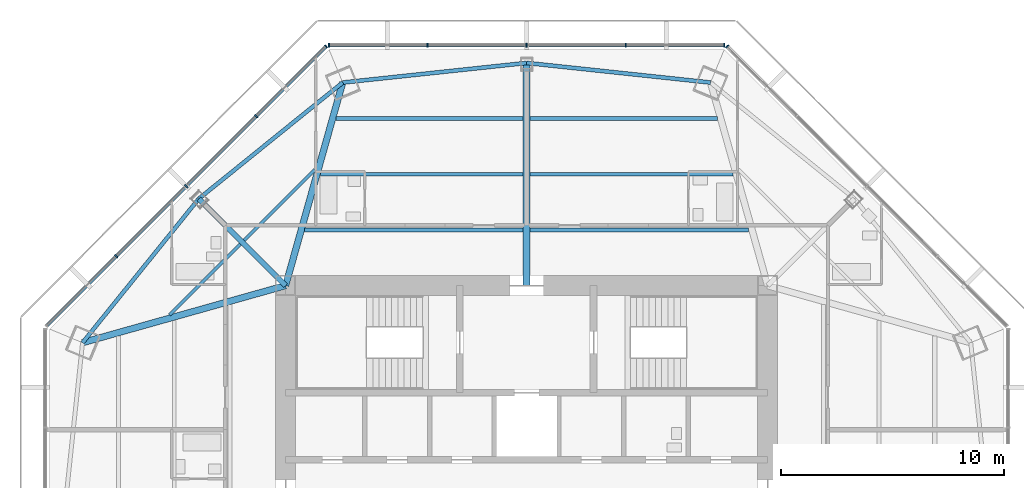
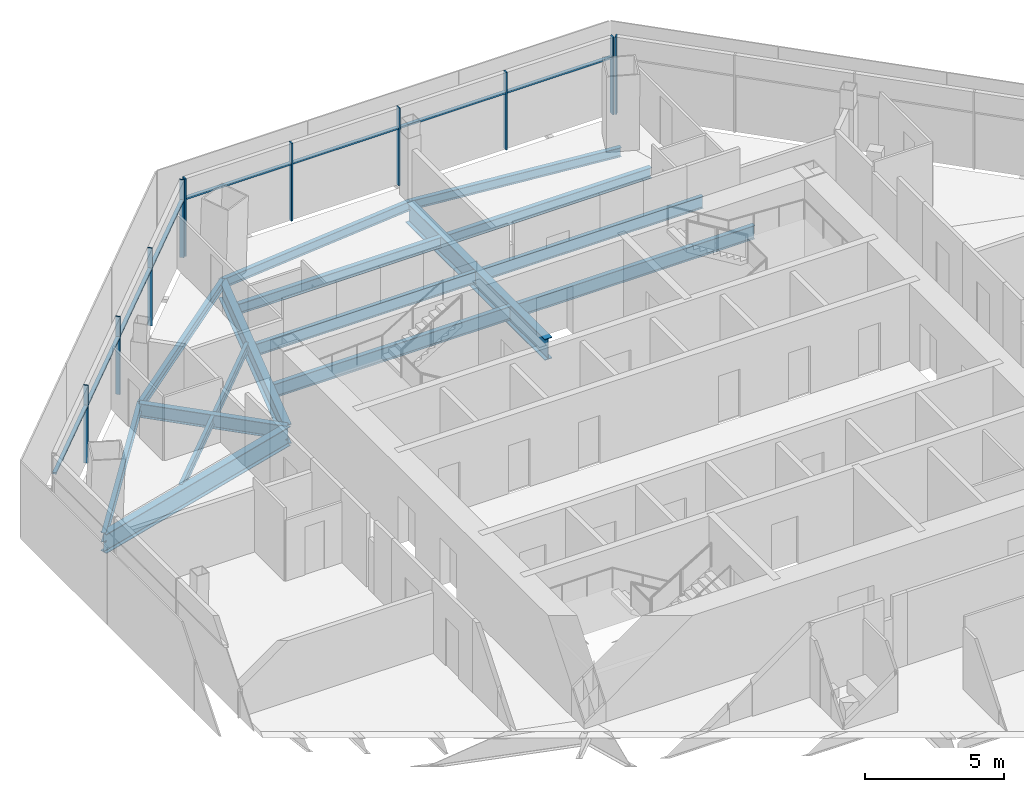
# One storey, part 5 of 15: 18 members, 16 beams, 3 elements without a shape of their own.
"""IFC4 building model written with IfcOpenShell, lengths in metres."""

import ifcopenshell
import ifcopenshell.guid

model = None  # the IFC model being written
_history = None  # IfcOwnerHistory: only IFC2X3 demands one
_inside = {}  # id of a spatial element -> (the spatial element, [elements in it])
_under = {}  # id of a project, library or spatial element -> (it, [spatial elements below it])
_declared = {}  # id of a project -> (the project, [libraries it declares])
_typed = {}  # id of a type object -> (the type object, [elements of that type])
_made_of = {}  # id of a material, layer set ... -> (it, [elements and type objects made of it])


def new_model(schema):
    """Start an empty IFC model of exactly this schema.

    Asked for "IFC4X3", IfcOpenShell would pick the latest addendum, in which some entities
    have other attributes; the version numbers below select the first issue.
    IFC2X3 requires an IfcOwnerHistory on every rooted entity: one is made here for all.
    """
    global model, _history
    if schema == "IFC4X3":
        model = ifcopenshell.file(schema_version=(4, 3, 0, 0))
    else:
        model = ifcopenshell.file(schema=schema)
    _inside.clear()
    _under.clear()
    _declared.clear()
    _typed.clear()
    _made_of.clear()
    _history = None
    if model.schema == "IFC2X3":
        org = make("IfcOrganization", Name="unknown")
        user = make(
            "IfcPersonAndOrganization",
            ThePerson=make("IfcPerson", FamilyName="unknown"),
            TheOrganization=org,
        )
        app = make(
            "IfcApplication",
            ApplicationDeveloper=org,
            Version="unknown",
            ApplicationFullName="unknown",
            ApplicationIdentifier="unknown",
        )
        _history = make(
            "IfcOwnerHistory",
            OwningUser=user,
            OwningApplication=app,
            ChangeAction="ADDED",
            CreationDate=0,
        )
    return model


def make(cls, **values):
    """One entity of the class cls with the attributes given. An attribute that is None is left unset."""
    return model.create_entity(
        cls, **{name: value for name, value in values.items() if value is not None}
    )


def rooted(cls, **values):
    """An entity with a GlobalId (a new one), such as an element, a storey or a relation."""
    return make(cls, GlobalId=ifcopenshell.guid.new(), OwnerHistory=_history, **values)


def si_unit(unit_type, name, prefix=None):
    """IfcSIUnit, for example si_unit("LENGTHUNIT", "METRE", prefix="MILLI")."""
    return make("IfcSIUnit", UnitType=unit_type, Prefix=prefix, Name=name)


def assignment(units):
    """IfcUnitAssignment: the units of a project."""
    return None if units is None else make("IfcUnitAssignment", Units=units)


def point(xyz):
    """IfcCartesianPoint."""
    return None if xyz is None else make("IfcCartesianPoint", Coordinates=xyz)


def direction(xyz):
    """IfcDirection."""
    return None if xyz is None else make("IfcDirection", DirectionRatios=xyz)


def frame(location, z_axis=None, x_axis=None):
    """IfcAxis2Placement3D, a coordinate frame: its origin and axes. An axis left out is left unset."""
    return make(
        "IfcAxis2Placement3D",
        Location=point(location),
        Axis=direction(z_axis),
        RefDirection=direction(x_axis),
    )


def frame_2d(location, x_axis=None):
    """IfcAxis2Placement2D, a coordinate frame in the plane: its origin and x axis."""
    return make(
        "IfcAxis2Placement2D", Location=point(location), RefDirection=direction(x_axis)
    )


def origin():
    """The frame at (0, 0, 0) with its axes left unset."""
    return frame((0.0, 0.0, 0.0))


def origin_2d():
    """The frame at (0, 0) in the plane with its x axis left unset."""
    return frame_2d((0.0, 0.0))


def place(relative_to, where):
    """IfcLocalPlacement: puts the frame where relative to a parent placement (None: the world)."""
    return make(
        "IfcLocalPlacement", PlacementRelTo=relative_to, RelativePlacement=where
    )


def context(
    kind, dimensions, precision=None, world=None, true_north=None, identifier=None
):
    """IfcGeometricRepresentationContext, for example the 3D "Model" context."""
    return make(
        "IfcGeometricRepresentationContext",
        ContextIdentifier=identifier,
        ContextType=kind,
        CoordinateSpaceDimension=dimensions,
        Precision=precision,
        WorldCoordinateSystem=world,
        TrueNorth=true_north,
    )


def subcontext(parent, identifier, kind, view, scale=None):
    """IfcGeometricRepresentationSubContext, for example "Body" below "Model"."""
    return make(
        "IfcGeometricRepresentationSubContext",
        ContextIdentifier=identifier,
        ContextType=kind,
        ParentContext=parent,
        TargetScale=scale,
        TargetView=view,
    )


def project(units=None, contexts=None):
    """IfcProject with its units and contexts."""
    return rooted(
        "IfcProject",
        Name="project",
        RepresentationContexts=contexts,
        UnitsInContext=assignment(units),
    )


def spatial(cls, under=None, at=None, **own):
    """A site, building, storey or space (cls), placed at a placement, below another one or the project."""
    s = rooted(cls, ObjectPlacement=at, **own)
    if under is not None:
        _under.setdefault(under.id(), (under, []))[1].append(s)
    return s


def profile(cls, at=None, kind="AREA", **sizes):
    """A parametric profile (cls). Its sizes go by their IFC names, for example OverallWidth=200.0."""
    return make(cls, ProfileType=kind, Position=at, **sizes)


def rectangle(**sizes):
    """IfcRectangleProfileDef."""
    return profile("IfcRectangleProfileDef", **sizes)


def i_section(**sizes):
    """IfcIShapeProfileDef."""
    return profile("IfcIShapeProfileDef", **sizes)


def extrude(swept, where, along, depth):
    """IfcExtrudedAreaSolid: the profile swept, set in the frame where, extruded along a direction by depth."""
    return make(
        "IfcExtrudedAreaSolid",
        SweptArea=swept,
        Position=where,
        ExtrudedDirection=direction(along),
        Depth=depth,
    )


def shape(context_of_items, identifier, shape_type, items):
    """IfcShapeRepresentation: the items that make up one representation, for example the "Body"."""
    return make(
        "IfcShapeRepresentation",
        ContextOfItems=context_of_items,
        RepresentationIdentifier=identifier,
        RepresentationType=shape_type,
        Items=items,
    )


def source(mapping_origin, context_of_items, identifier, shape_type, items):
    """IfcRepresentationMap: a shape defined once, which mapped items show again and again."""
    return make(
        "IfcRepresentationMap",
        MappingOrigin=mapping_origin,
        MappedRepresentation=shape(context_of_items, identifier, shape_type, items),
    )


def transform(
    local_origin,
    x_axis=None,
    y_axis=None,
    z_axis=None,
    scale=None,
    scale2=None,
    scale3=None,
    uniform=True,
):
    """IfcCartesianTransformationOperator3D, or its non-uniform kind. x_axis, y_axis, z_axis: its Axis1, 2, 3."""
    if uniform:
        return make(
            "IfcCartesianTransformationOperator3D",
            Axis1=direction(x_axis),
            Axis2=direction(y_axis),
            LocalOrigin=point(local_origin),
            Scale=scale,
            Axis3=direction(z_axis),
        )
    return make(
        "IfcCartesianTransformationOperator3DnonUniform",
        Axis1=direction(x_axis),
        Axis2=direction(y_axis),
        LocalOrigin=point(local_origin),
        Scale=scale,
        Axis3=direction(z_axis),
        Scale2=scale2,
        Scale3=scale3,
    )


def mapped(mapping_source, mapping_target):
    """IfcMappedItem: shows the shape of a source again, moved by a transform."""
    return make(
        "IfcMappedItem", MappingSource=mapping_source, MappingTarget=mapping_target
    )


def material(Name=None, Category=None):
    """IfcMaterial."""
    return make("IfcMaterial", Name=Name, Category=Category)


def material_profile(
    of_material, cross_section, Name=None, Category=None, Priority=None
):
    """IfcMaterialProfile: a cross section and its material."""
    return make(
        "IfcMaterialProfile",
        Name=Name,
        Material=of_material,
        Profile=cross_section,
        Priority=Priority,
        Category=Category,
    )


def profile_set(profiles, Name=None, composite=None):
    """IfcMaterialProfileSet."""
    return make(
        "IfcMaterialProfileSet",
        Name=Name,
        MaterialProfiles=profiles,
        CompositeProfile=composite,
    )


def made_of(thing, what):
    """Note that an element or type object is made of a material, layer set ...; save() writes the relation."""
    if what is not None:
        _made_of.setdefault(what.id(), (what, []))[1].append(thing)
    return thing


def type_object(cls, material=None, **own):
    """A type object (cls), such as IfcWallType, which elements share."""
    return made_of(rooted(cls, **own), material)


def type_shapes(of_type, sources):
    """Give a type object the sources (RepresentationMaps) that its elements show as mapped items."""
    of_type.RepresentationMaps = sources


def element(
    cls,
    number,
    at=None,
    inside=None,
    cuts=None,
    type_object=None,
    material=None,
    context=None,
    identifier="Body",
    shape_type=None,
    held_by="IfcProductDefinitionShape",
    body=None,
    shapes=None,
    **own,
):
    """One element of the class cls, such as IfcWall. Its Tag is "e" and its number.

    at: its placement. inside: the storey or other place that contains it. cuts: it is an
    opening in that element (IfcRelVoidsElement). A single representation is given by context,
    identifier, shape_type and body (its items); several are given by shapes. held_by: the class
    of the entity that holds the representations. save() writes the other relations.
    """
    e = rooted(cls, Tag="e%d" % number, ObjectPlacement=at, **own)
    if body is not None:
        shapes = [shape(context, identifier, shape_type, body)]
    if shapes is not None:
        e.Representation = make(held_by, Representations=shapes)
    if inside is not None:
        _inside.setdefault(inside.id(), (inside, []))[1].append(e)
    if cuts is not None:
        rooted(
            "IfcRelVoidsElement", RelatingBuildingElement=cuts, RelatedOpeningElement=e
        )
    if type_object is not None:
        _typed.setdefault(type_object.id(), (type_object, []))[1].append(e)
    return made_of(e, material)


def aggregate(whole, parts):
    """IfcRelAggregates: a whole, such as a stair, and the parts it consists of."""
    return rooted("IfcRelAggregates", RelatingObject=whole, RelatedObjects=parts)


def save(model, path):
    """Write the relations noted so far, then the file.

    IfcRelAggregates (storeys below a building ...), IfcRelContainedInSpatialStructure (elements
    in a storey), IfcRelDefinesByType, IfcRelAssociatesMaterial and IfcRelDeclares: one each for
    every whole, place, type object, material and project.
    """
    for whole, parts in _under.values():
        aggregate(whole, parts)
    for where, things in _inside.values():
        rooted(
            "IfcRelContainedInSpatialStructure",
            RelatedElements=things,
            RelatingStructure=where,
        )
    for kind, things in _typed.values():
        rooted("IfcRelDefinesByType", RelatedObjects=things, RelatingType=kind)
    for what, things in _made_of.values():
        rooted("IfcRelAssociatesMaterial", RelatedObjects=things, RelatingMaterial=what)
    for by, libraries in _declared.values():
        rooted("IfcRelDeclares", RelatingContext=by, RelatedDefinitions=libraries)
    model.write(path)


model = new_model("IFC4")

# Units and contexts
model_context = context("Model", 3, precision=1e-05, world=origin(), true_north=direction((0.0, 1.0)))
body_context = subcontext(model_context, "Body", "Model", "MODEL_VIEW")
ifc_project = project(units=[si_unit("LENGTHUNIT", "METRE"), si_unit("AREAUNIT", "SQUARE_METRE"), si_unit("VOLUMEUNIT", "CUBIC_METRE"), si_unit("PLANEANGLEUNIT", "RADIAN"), si_unit("MASSUNIT", "GRAM", prefix="KILO")], contexts=[model_context])

# Site, building, storey
site_placement = place(None, origin())
site = spatial("IfcSite", under=ifc_project, at=site_placement, CompositionType="ELEMENT")
building_placement = place(site_placement, origin())
building = spatial("IfcBuilding", under=site, at=building_placement, Name="Mashrafa Tower", CompositionType="ELEMENT")
storey_placement = place(building_placement, frame((0.0, 0.0, 227.800048828125)))
storey = spatial("IfcBuildingStorey", under=building, at=storey_placement, Name="L53", CompositionType="ELEMENT", Elevation=227.800048828125)

# Beams
ifc_material_1 = material(Name="Steel ASTM A992", Category="steel")
ifc_material_profile_1 = material_profile(ifc_material_1, i_section(OverallWidth=0.140380859375, OverallDepth=0.40380859375, WebThickness=0.007080078125, FlangeThickness=0.01123046875, FilletRadius=0.01025390625, at=origin_2d()), Name="W16X31")
ifc_profile_set_1 = profile_set([ifc_material_profile_1], Name="Steel ASTM A992")
beam_type_1 = type_object("IfcBeamType", Name="Beam W16X31", PredefinedType="BEAM", material=ifc_profile_set_1)
for number, where, z_axis, x_axis, name in (
    (1, (-16.001708984375, 9.4892578125, -0.402099609375), (0.707106781187, 0.707106781187, 0.0), (-0.707106781187, 0.707106781187, 0.0), "Floor beam L53 003"),
    (2, (-12.664794921875, 12.826171875, -0.402099609375), (0.707106781187, 0.707106781187, 0.0), (-0.707106781187, 0.707106781187, 0.0), "Floor beam L53 009"),
):
    element("IfcBeam", number, at=place(storey_placement, frame(where, z_axis=z_axis, x_axis=x_axis)), inside=storey, type_object=beam_type_1, Name=name, PredefinedType="BEAM", context=body_context, shape_type="SweptSolid", body=[
        extrude(i_section(OverallWidth=0.140380859375, OverallDepth=0.40380859375, WebThickness=0.007080078125, FlangeThickness=0.01123046875, FilletRadius=0.01025390625, at=origin_2d()), origin(), (0.0, 0.0, 1.0), 4.490966796875),
    ])
ifc_material_2 = material(Name="Steel ASTM A992", Category="steel")
ifc_material_profile_2 = material_profile(ifc_material_2, i_section(OverallWidth=0.177734375, OverallDepth=0.406494140625, WebThickness=0.0078125, FlangeThickness=0.012939453125, FilletRadius=0.01025390625, at=origin_2d()), Name="W16X40")
ifc_profile_set_2 = profile_set([ifc_material_profile_2], Name="Steel ASTM A992")
beam_type_2 = type_object("IfcBeamType", Name="Beam W16X40", PredefinedType="BEAM", material=ifc_profile_set_2)
for number, where, z_axis, x_axis, name in (
    (3, (-14.69091796875, 14.69091796875, -0.4033203125), (-0.628208890377, -0.778044722398, 0.0), (0.778044722398, -0.628208890377, 0.0), "Spandrel beam L53 053"),
    (4, (-8.241943359375, 19.89794921875, -0.4033203125), (-0.778044722398, -0.628208890377, 0.0), (0.628208890377, -0.778044722398, 0.0), "Spandrel beam L53 055"),
    (5, (0.0, 20.776123046875, -0.4033203125), (-0.99437149569, -0.105949651056, 0.0), (0.105949651056, -0.99437149569, 0.0), "Spandrel beam L53 057"),
    (6, (8.241943359375, 19.89794921875, -0.4033203125), (-0.99437149569, 0.105949651056, 0.0), (-0.105949651056, -0.99437149569, 0.0), "Spandrel beam L53 059"),
):
    element("IfcBeam", number, at=place(storey_placement, frame(where, z_axis=z_axis, x_axis=x_axis)), inside=storey, type_object=beam_type_2, Name=name, PredefinedType="BEAM", context=body_context, shape_type="SweptSolid", body=[
        extrude(i_section(OverallWidth=0.177734375, OverallDepth=0.406494140625, WebThickness=0.0078125, FlangeThickness=0.012939453125, FilletRadius=0.01025390625, at=origin_2d()), origin(), (0.0, 0.0, 1.0), 8.28857421875),
    ])
ifc_material_3 = material(Name="Steel ASTM A992", Category="steel")
ifc_material_profile_3 = material_profile(ifc_material_3, i_section(OverallWidth=0.191162109375, OverallDepth=0.459716796875, WebThickness=0.010009765625, FlangeThickness=0.01611328125, FilletRadius=0.01025390625, at=origin_2d()), Name="W18X55")
ifc_profile_set_3 = profile_set([ifc_material_profile_3], Name="Steel ASTM A992")
beam_type_3 = type_object("IfcBeamType", Name="Beam W18X55", PredefinedType="BEAM", material=ifc_profile_set_3)
for number, where, z_axis, x_axis, name in (
    (7, (-8.544677734375, 18.2822265625, -0.429931640625), (1.0, 0.0, 0.0), (0.0, 1.0, 0.0), "Floor beam L53 013"),
    (8, (0.15380859375, 18.2822265625, -0.429931640625), (1.0, 0.0, 0.0), (0.0, 1.0, 0.0), "Floor beam L53 019"),
):
    element("IfcBeam", number, at=place(storey_placement, frame(where, z_axis=z_axis, x_axis=x_axis)), inside=storey, type_object=beam_type_3, Name=name, PredefinedType="BEAM", context=body_context, shape_type="SweptSolid", body=[
        extrude(i_section(OverallWidth=0.191162109375, OverallDepth=0.459716796875, WebThickness=0.010009765625, FlangeThickness=0.01611328125, FilletRadius=0.01025390625, at=origin_2d()), origin(), (0.0, 0.0, 1.0), 8.390869140625),
    ])
ifc_material_4 = material(Name="Steel ASTM A992", Category="steel")
ifc_material_profile_4 = material_profile(ifc_material_4, i_section(OverallWidth=0.1650390625, OverallDepth=0.52587890625, WebThickness=0.0087890625, FlangeThickness=0.011474609375, FilletRadius=0.0126953125, at=origin_2d()), Name="W21X44")
ifc_profile_set_4 = profile_set([ifc_material_profile_4], Name="Steel ASTM A992")
beam_type_4 = type_object("IfcBeamType", Name="Beam W21X44", PredefinedType="BEAM", material=ifc_profile_set_4)
for number, where, z_axis, x_axis, name in (
    (9, (-9.245849609375, 15.7880859375, -0.462890625), (1.0, 0.0, 0.0), (0.0, 1.0, 0.0), "Floor beam L53 011"),
    (10, (0.15380859375, 15.7880859375, -0.462890625), (1.0, 0.0, 0.0), (0.0, 1.0, 0.0), "Floor beam L53 018"),
):
    element("IfcBeam", number, at=place(storey_placement, frame(where, z_axis=z_axis, x_axis=x_axis)), inside=storey, type_object=beam_type_4, Name=name, PredefinedType="BEAM", context=body_context, shape_type="SweptSolid", body=[
        extrude(i_section(OverallWidth=0.1650390625, OverallDepth=0.52587890625, WebThickness=0.0087890625, FlangeThickness=0.011474609375, FilletRadius=0.0126953125, at=origin_2d()), origin(), (0.0, 0.0, 1.0), 9.092041015625),
    ])
ifc_material_5 = material(Name="Steel ASTM A992", Category="steel")
ifc_material_profile_5 = material_profile(ifc_material_5, i_section(OverallWidth=0.177978515625, OverallDepth=0.599365234375, WebThickness=0.010009765625, FlangeThickness=0.012939453125, FilletRadius=0.012939453125, at=origin_2d()), Name="W24X55")
ifc_profile_set_5 = profile_set([ifc_material_profile_5], Name="Steel ASTM A992")
beam_type_5 = type_object("IfcBeamType", Name="Beam W24X55", PredefinedType="BEAM", material=ifc_profile_set_5)
for number, where, z_axis, x_axis, name in (
    (11, (-9.947021484375, 13.294189453125, -0.499755859375), (1.0, 0.0, 0.0), (0.0, 1.0, 0.0), "Floor beam L53 010"),
    (12, (0.15380859375, 13.294189453125, -0.499755859375), (1.0, 0.0, 0.0), (0.0, 1.0, 0.0), "Floor beam L53 017"),
):
    element("IfcBeam", number, at=place(storey_placement, frame(where, z_axis=z_axis, x_axis=x_axis)), inside=storey, type_object=beam_type_5, Name=name, PredefinedType="BEAM", context=body_context, shape_type="SweptSolid", body=[
        extrude(i_section(OverallWidth=0.177978515625, OverallDepth=0.599365234375, WebThickness=0.010009765625, FlangeThickness=0.012939453125, FilletRadius=0.012939453125, at=origin_2d()), origin(), (0.0, 0.0, 1.0), 9.793212890625),
    ])
ifc_material_6 = material(Name="Steel ASTM A992", Category="steel")
ifc_material_profile_6 = material_profile(ifc_material_6, i_section(OverallWidth=0.228271484375, OverallDepth=0.607177734375, WebThickness=0.01123046875, FlangeThickness=0.017333984375, FilletRadius=0.0126953125, at=origin_2d()), Name="W24X76")
ifc_profile_set_6 = profile_set([ifc_material_profile_6], Name="Steel ASTM A992")
beam_type_6 = type_object("IfcBeamType", Name="Beam W24X76", PredefinedType="BEAM", material=ifc_profile_set_6)
beam_1_placement = place(storey_placement, frame((-10.800048828125, 10.800048828125, -0.503662109375), z_axis=(-0.707106781187, 0.707106781187, 0.0), x_axis=(-0.707106781187, -0.707106781187, 0.0)))
element("IfcBeam", 13, at=beam_1_placement, inside=storey, type_object=beam_type_6, Name="Radial girder L53 038", PredefinedType="BEAM", context=body_context, shape_type="SweptSolid", body=[
    extrude(i_section(OverallWidth=0.228271484375, OverallDepth=0.607177734375, WebThickness=0.01123046875, FlangeThickness=0.017333984375, FilletRadius=0.0126953125, at=origin_2d()), origin(), (0.0, 0.0, 1.0), 5.50244140625),
])
ifc_material_7 = material(Name="Steel ASTM A992", Category="steel")
ifc_material_profile_7 = material_profile(ifc_material_7, i_section(OverallWidth=0.2919921875, OverallDepth=0.845703125, WebThickness=0.015380859375, FlangeThickness=0.0244140625, FilletRadius=0.017333984375, at=origin_2d()), Name="W33X141")
ifc_profile_set_7 = profile_set([ifc_material_profile_7], Name="Steel ASTM A992")
beam_type_7 = type_object("IfcBeamType", Name="Beam W33X141", PredefinedType="BEAM", material=ifc_profile_set_7)
for number, where, z_axis, x_axis, name in (
    (14, (-10.800048828125, 10.800048828125, -0.623046875), (-0.962669663911, -0.270678994726, 0.0), (0.270678994726, -0.962669663911, 0.0), "Radial girder L53 037"),
    (15, (-10.800048828125, 10.800048828125, -0.623046875), (0.270678994726, 0.962669663911, 0.0), (-0.962669663911, 0.270678994726, 0.0), "Radial girder L53 039"),
):
    element("IfcBeam", number, at=place(storey_placement, frame(where, z_axis=z_axis, x_axis=x_axis)), inside=storey, type_object=beam_type_7, Name=name, PredefinedType="BEAM", context=body_context, shape_type="SweptSolid", body=[
        extrude(i_section(OverallWidth=0.2919921875, OverallDepth=0.845703125, WebThickness=0.015380859375, FlangeThickness=0.0244140625, FilletRadius=0.017333984375, at=origin_2d()), origin(), (0.0, 0.0, 1.0), 9.45068359375),
    ])
ifc_material_8 = material(Name="Steel ASTM A992", Category="steel")
ifc_material_profile_8 = material_profile(ifc_material_8, i_section(OverallWidth=0.307373046875, OverallDepth=0.927001953125, WebThickness=0.01953125, FlangeThickness=0.031982421875, FilletRadius=0.01904296875, at=origin_2d()), Name="W36X194")
ifc_profile_set_8 = profile_set([ifc_material_profile_8], Name="Steel ASTM A992")
beam_type_8 = type_object("IfcBeamType", Name="Beam W36X194", PredefinedType="BEAM", material=ifc_profile_set_8)
beam_2_placement = place(storey_placement, frame((0.0, 10.800048828125, -0.66357421875), z_axis=(0.0, 1.0, 0.0), x_axis=(-1.0, 0.0, 0.0)))
element("IfcBeam", 16, at=beam_2_placement, inside=storey, type_object=beam_type_8, Name="Radial girder L53 041", PredefinedType="BEAM", context=body_context, shape_type="SweptSolid", body=[
    extrude(i_section(OverallWidth=0.307373046875, OverallDepth=0.927001953125, WebThickness=0.01953125, FlangeThickness=0.031982421875, FilletRadius=0.01904296875, at=origin_2d()), origin(), (0.0, 0.0, 1.0), 9.97607421875),
])

# Curtain wall, member
ifc_material_9 = material(Name="Unitised aluminium curtain wall", Category="aluminium")
curtain_wall_type = type_object("IfcCurtainWallType", Name="Apartment curtain wall, zone 3 CW-C 180 deep", PredefinedType="NOTDEFINED", material=ifc_material_9)
curtain_wall_1_placement = place(storey_placement, origin())
curtain_wall_1 = element("IfcCurtainWall", 17, at=curtain_wall_1_placement, inside=storey, type_object=curtain_wall_type, Name="Apartment curtain wall, zone 3 L53 north-east", PredefinedType="NOTDEFINED")
ifc_material_10 = material(Name="Extruded aluminium mullion", Category="aluminium")
ifc_material_profile_9 = material_profile(ifc_material_10, rectangle(XDim=0.179931640625, YDim=0.06005859375, at=origin_2d()), Name="Mullion 60x180")
ifc_profile_set_9 = profile_set([ifc_material_profile_9], Name="Extruded aluminium mullion")
member_type_1 = type_object("IfcMemberType", Name="Mullion CW-C 60 x 180", PredefinedType="MULLION", material=ifc_profile_set_9)
shared_shape_1 = source(origin(), body_context, "Body", "SweptSolid", [
    extrude(rectangle(XDim=0.179931640625, YDim=0.06005859375, at=origin_2d()), origin(), (0.0, 0.0, 1.0), 3.39990234375),
])
type_shapes(member_type_1, [shared_shape_1])
member_1_placement = place(storey_placement, frame((8.989501953125, 21.515869140625, 0.0), z_axis=(0.0, 0.0, 1.0), x_axis=(-0.707106781187, -0.707106781187, 0.0)))
member_1 = element("IfcMember", 18, at=member_1_placement, type_object=member_type_1, Name="CW-C mullion 5", PredefinedType="MULLION", context=body_context, shape_type="MappedRepresentation", body=[
    mapped(shared_shape_1, transform((0.0, 0.0, 0.0))),
])
aggregate(curtain_wall_1, [member_1])

# Curtain wall, members
curtain_wall_2_placement = place(storey_placement, origin())
curtain_wall_2 = element("IfcCurtainWall", 19, at=curtain_wall_2_placement, inside=storey, type_object=curtain_wall_type, Name="Apartment curtain wall, zone 3 L53 north", PredefinedType="NOTDEFINED")
member_2_placement = place(storey_placement, frame((8.857666015625, 21.570556640625, 0.0), z_axis=(0.0, 0.0, 1.0), x_axis=(0.0, -1.0, 0.0)))
member_2 = element("IfcMember", 20, at=member_2_placement, type_object=member_type_1, Name="CW-C mullion 1", PredefinedType="MULLION", context=body_context, shape_type="MappedRepresentation", body=[
    mapped(shared_shape_1, transform((0.0, 0.0, 0.0))),
])
member_3_placement = place(storey_placement, frame((4.44384765625, 21.570556640625, 0.0), z_axis=(0.0, 0.0, 1.0), x_axis=(0.0, -1.0, 0.0)))
member_3 = element("IfcMember", 21, at=member_3_placement, type_object=member_type_1, Name="CW-C mullion 2", PredefinedType="MULLION", context=body_context, shape_type="MappedRepresentation", body=[
    mapped(shared_shape_1, transform((0.0, 0.0, 0.0))),
])
member_4_placement = place(storey_placement, frame((0.0, 21.570556640625, 0.0), z_axis=(0.0, 0.0, 1.0), x_axis=(0.0, -1.0, 0.0)))
member_4 = element("IfcMember", 22, at=member_4_placement, type_object=member_type_1, Name="CW-C mullion 3", PredefinedType="MULLION", context=body_context, shape_type="MappedRepresentation", body=[
    mapped(shared_shape_1, transform((0.0, 0.0, 0.0))),
])
member_5_placement = place(storey_placement, frame((-4.44384765625, 21.570556640625, 0.0), z_axis=(0.0, 0.0, 1.0), x_axis=(0.0, -1.0, 0.0)))
member_5 = element("IfcMember", 23, at=member_5_placement, type_object=member_type_1, Name="CW-C mullion 4", PredefinedType="MULLION", context=body_context, shape_type="MappedRepresentation", body=[
    mapped(shared_shape_1, transform((0.0, 0.0, 0.0))),
])
member_6_placement = place(storey_placement, frame((-8.857666015625, 21.570556640625, 0.0), z_axis=(0.0, 0.0, 1.0), x_axis=(0.0, -1.0, 0.0)))
member_6 = element("IfcMember", 24, at=member_6_placement, type_object=member_type_1, Name="CW-C mullion 5", PredefinedType="MULLION", context=body_context, shape_type="MappedRepresentation", body=[
    mapped(shared_shape_1, transform((0.0, 0.0, 0.0))),
])

curtain_wall_3_placement = place(storey_placement, origin())
curtain_wall_3 = element("IfcCurtainWall", 25, at=curtain_wall_3_placement, inside=storey, type_object=curtain_wall_type, Name="Apartment curtain wall, zone 3 L53 north-west", PredefinedType="NOTDEFINED")
member_7_placement = place(storey_placement, frame((-8.989501953125, 21.515869140625, 0.0), z_axis=(0.0, 0.0, 1.0), x_axis=(0.707106781187, -0.707106781187, 0.0)))
member_7 = element("IfcMember", 26, at=member_7_placement, type_object=member_type_1, Name="CW-C mullion 1", PredefinedType="MULLION", context=body_context, shape_type="MappedRepresentation", body=[
    mapped(shared_shape_1, transform((0.0, 0.0, 0.0))),
])
member_8_placement = place(storey_placement, frame((-12.110595703125, 18.39501953125, 0.0), z_axis=(0.0, 0.0, 1.0), x_axis=(0.707106781187, -0.707106781187, 0.0)))
member_8 = element("IfcMember", 27, at=member_8_placement, type_object=member_type_1, Name="CW-C mullion 2", PredefinedType="MULLION", context=body_context, shape_type="MappedRepresentation", body=[
    mapped(shared_shape_1, transform((0.0, 0.0, 0.0))),
])
member_9_placement = place(storey_placement, frame((-15.252685546875, 15.252685546875, 0.0), z_axis=(0.0, 0.0, 1.0), x_axis=(0.707106781187, -0.707106781187, 0.0)))
member_9 = element("IfcMember", 28, at=member_9_placement, type_object=member_type_1, Name="CW-C mullion 3", PredefinedType="MULLION", context=body_context, shape_type="MappedRepresentation", body=[
    mapped(shared_shape_1, transform((0.0, 0.0, 0.0))),
])
member_10_placement = place(storey_placement, frame((-18.39501953125, 12.110595703125, 0.0), z_axis=(0.0, 0.0, 1.0), x_axis=(0.707106781187, -0.707106781187, 0.0)))
member_10 = element("IfcMember", 29, at=member_10_placement, type_object=member_type_1, Name="CW-C mullion 4", PredefinedType="MULLION", context=body_context, shape_type="MappedRepresentation", body=[
    mapped(shared_shape_1, transform((0.0, 0.0, 0.0))),
])

# Member
ifc_material_11 = material(Name="Extruded aluminium transom", Category="aluminium")
ifc_material_profile_10 = material_profile(ifc_material_11, rectangle(XDim=0.14404296875, YDim=0.074951171875, at=origin_2d()), Name="Transom 75x144")
ifc_profile_set_10 = profile_set([ifc_material_profile_10], Name="Extruded aluminium transom")
member_type_2 = type_object("IfcMemberType", Name="Transom CW-C 75 x 144", PredefinedType="MULLION", material=ifc_profile_set_10)
shared_shape_2 = source(origin(), body_context, "Body", "SweptSolid", [
    extrude(rectangle(XDim=0.14404296875, YDim=0.074951171875, at=origin_2d()), origin(), (0.0, 0.0, 1.0), 4.353759765625),
])
member_11_placement = place(storey_placement, frame((8.82763671875, 21.570556640625, 2.5), z_axis=(-1.0, 0.0, 0.0), x_axis=(0.0, -1.0, 0.0)))
member_11 = element("IfcMember", 30, at=member_11_placement, type_object=member_type_2, Name="CW-C transom 1", PredefinedType="MULLION", context=body_context, shape_type="MappedRepresentation", body=[
    mapped(shared_shape_2, transform((0.0, 0.0, 0.0))),
])

member_12_placement = place(storey_placement, frame((-4.473876953125, 21.570556640625, 2.5), z_axis=(-1.0, 0.0, 0.0), x_axis=(0.0, -1.0, 0.0)))
member_12 = element("IfcMember", 31, at=member_12_placement, type_object=member_type_2, Name="CW-C transom 4", PredefinedType="MULLION", context=body_context, shape_type="MappedRepresentation", body=[
    mapped(shared_shape_2, transform((0.0, 0.0, 0.0))),
])

member_13_placement = place(storey_placement, frame((-9.0107421875, 21.49462890625, 2.5), z_axis=(-0.707134819283, -0.707078741978, 0.0), x_axis=(0.707078741978, -0.707134819283, 0.0)))
member_13 = element("IfcMember", 32, at=member_13_placement, type_object=member_type_2, Name="CW-C transom 1", PredefinedType="MULLION", context=body_context, shape_type="MappedRepresentation", body=[
    mapped(shared_shape_2, transform((0.0, 0.0, 0.0))),
])

member_14_placement = place(storey_placement, frame((-18.416259765625, 12.08935546875, 2.5), z_axis=(-0.707078741978, -0.707134819283, 0.0), x_axis=(0.707134819283, -0.707078741978, 0.0)))
member_14 = element("IfcMember", 33, at=member_14_placement, type_object=member_type_2, Name="CW-C transom 4", PredefinedType="MULLION", context=body_context, shape_type="MappedRepresentation", body=[
    mapped(shared_shape_2, transform((0.0, 0.0, 0.0))),
])

shared_shape_3 = source(origin(), body_context, "Body", "SweptSolid", [
    extrude(rectangle(XDim=0.14404296875, YDim=0.074951171875, at=origin_2d()), origin(), (0.0, 0.0, 1.0), 4.3837890625),
])
type_shapes(member_type_2, [shared_shape_2, shared_shape_3])
member_15_placement = place(storey_placement, frame((4.413818359375, 21.570556640625, 2.5), z_axis=(-1.0, 0.0, 0.0), x_axis=(0.0, -1.0, 0.0)))
member_15 = element("IfcMember", 34, at=member_15_placement, type_object=member_type_2, Name="CW-C transom 2", PredefinedType="MULLION", context=body_context, shape_type="MappedRepresentation", body=[
    mapped(shared_shape_3, transform((0.0, 0.0, 0.0))),
])

member_16_placement = place(storey_placement, frame((-0.030029296875, 21.570556640625, 2.5), z_axis=(-1.0, 0.0, 0.0), x_axis=(0.0, -1.0, 0.0)))
member_16 = element("IfcMember", 35, at=member_16_placement, type_object=member_type_2, Name="CW-C transom 3", PredefinedType="MULLION", context=body_context, shape_type="MappedRepresentation", body=[
    mapped(shared_shape_3, transform((0.0, 0.0, 0.0))),
])

aggregate(curtain_wall_2, [member_2, member_3, member_4, member_5, member_6, member_11, member_15, member_16, member_12])

member_17_placement = place(storey_placement, frame((-12.131591796875, 18.373779296875, 2.5), z_axis=(-0.707106781187, -0.707106781187, 0.0), x_axis=(0.707106781187, -0.707106781187, 0.0)))
member_17 = element("IfcMember", 36, at=member_17_placement, type_object=member_type_2, Name="CW-C transom 2", PredefinedType="MULLION", context=body_context, shape_type="MappedRepresentation", body=[
    mapped(shared_shape_3, transform((0.0, 0.0, 0.0))),
])

member_18_placement = place(storey_placement, frame((-15.27392578125, 15.2314453125, 2.5), z_axis=(-0.707106781187, -0.707106781187, 0.0), x_axis=(0.707106781187, -0.707106781187, 0.0)))
member_18 = element("IfcMember", 37, at=member_18_placement, type_object=member_type_2, Name="CW-C transom 3", PredefinedType="MULLION", context=body_context, shape_type="MappedRepresentation", body=[
    mapped(shared_shape_3, transform((0.0, 0.0, 0.0))),
])

aggregate(curtain_wall_3, [member_7, member_8, member_9, member_10, member_13, member_17, member_18, member_14])

save(model, "model.ifc")
